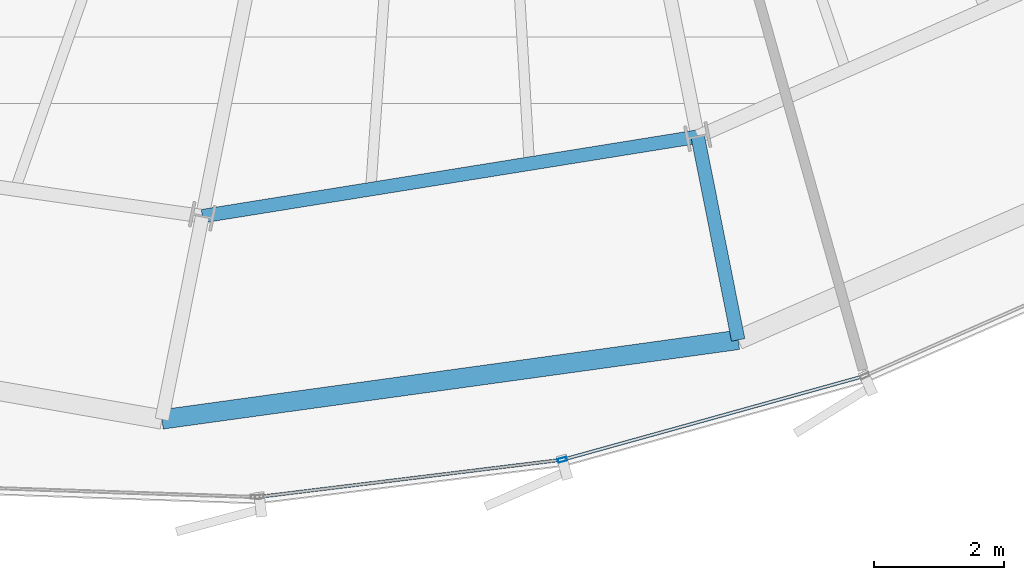
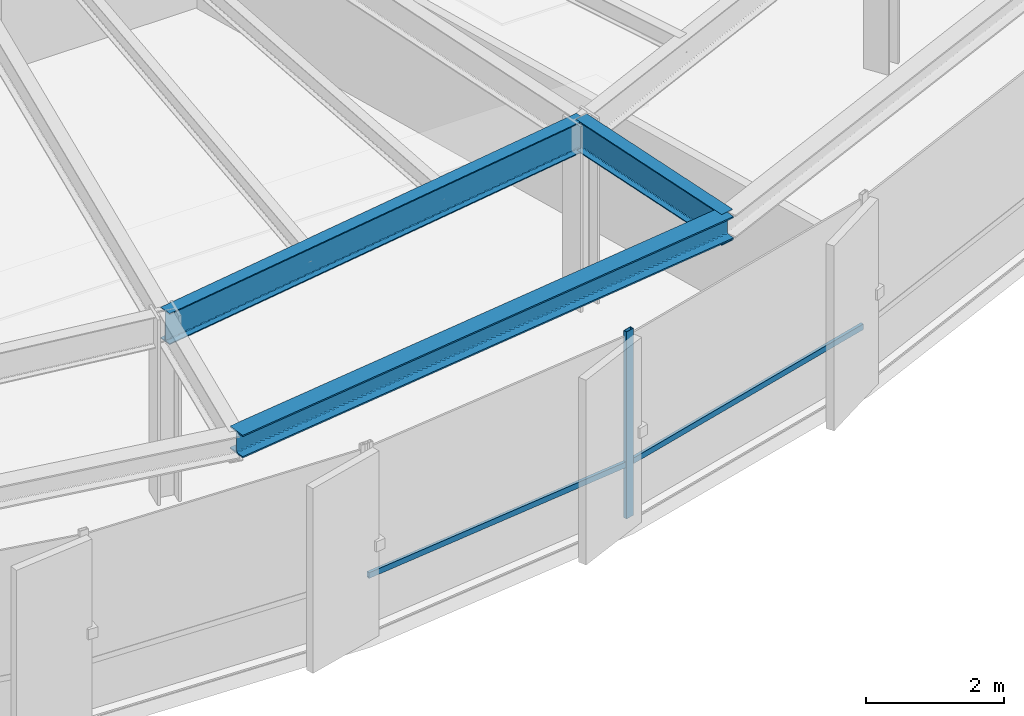
# One storey, part 6 of 35: 3 beams, 3 members, 1 element without a shape of its own.
"""IFC4 building model written with IfcOpenShell, lengths in metres."""

from ifc_helpers import new_model, si_unit, direction, frame, origin, origin_2d, place, context, subcontext, project, spatial, hollow_rectangle, i_section, extrude, source, transform, mapped, material, layer, layer_set, material_profile, profile_set, type_object, element, aggregate, save


model = new_model("IFC4")

# Units and contexts
model_context = context("Model", 3, precision=1e-05, world=origin(), true_north=direction((0.0, 1.0)))
body_context = subcontext(model_context, "Body", "Model", "MODEL_VIEW")
ifc_project = project(units=[si_unit("LENGTHUNIT", "METRE"), si_unit("AREAUNIT", "SQUARE_METRE"), si_unit("VOLUMEUNIT", "CUBIC_METRE"), si_unit("PLANEANGLEUNIT", "RADIAN"), si_unit("MASSUNIT", "GRAM", prefix="KILO"), si_unit("THERMODYNAMICTEMPERATUREUNIT", "KELVIN")], contexts=[model_context])

# Site, building, storey
site_placement = place(None, origin())
site = spatial("IfcSite", under=ifc_project, at=site_placement, CompositionType="ELEMENT")
building_placement = place(site_placement, origin())
building = spatial("IfcBuilding", under=site, at=building_placement, Name="Kethvar Cultural Tower", CompositionType="ELEMENT")
storey_placement = place(building_placement, frame((0.0, 0.0, 146.550048828125)))
storey = spatial("IfcBuildingStorey", under=building, at=storey_placement, Name="L37", CompositionType="ELEMENT", Elevation=146.550048828125)

# Beams
ifc_material_1 = material(Name="Steel S355J2", Category="steel")
ifc_material_profile_1 = material_profile(ifc_material_1, i_section(OverallWidth=0.2099609375, OverallDepth=0.550048828125, WebThickness=0.010986328125, FlangeThickness=0.01708984375, FilletRadius=0.02392578125, at=origin_2d()), Name="Steel S355J2 — IPE550")
ifc_profile_set_1 = profile_set([ifc_material_profile_1], Name="Steel S355J2 — IPE550")
beam_type_1 = type_object("IfcBeamType", Name="BM-IPE550", PredefinedType="BEAM", material=ifc_profile_set_1)
shared_shape_1 = source(origin(), body_context, "Body", "SweptSolid", [
    extrude(i_section(OverallWidth=0.2099609375, OverallDepth=0.550048828125, WebThickness=0.010986328125, FlangeThickness=0.01708984375, FilletRadius=0.02392578125, at=origin_2d()), origin(), (0.0, 0.0, 1.0), 3.2001953125),
])
beam_1_placement = place(storey_placement, frame((50.50341796875, 9.182373046875, 3.02294921875), z_axis=(0.195074368086, -0.980788453702, 0.0), x_axis=(0.980788453702, 0.195074368086, 0.0)))
element("IfcBeam", 1, at=beam_1_placement, inside=storey, type_object=beam_type_1, Name="L37 Perimeter Cantilever Beam RC-13", PredefinedType="BEAM", context=body_context, shape_type="MappedRepresentation", body=[
    mapped(shared_shape_1, transform((0.0, 0.0, 0.0), scale=1.0)),
])
shared_shape_2 = source(origin(), body_context, "Body", "SweptSolid", [
    extrude(i_section(OverallWidth=0.2099609375, OverallDepth=0.550048828125, WebThickness=0.010986328125, FlangeThickness=0.01708984375, FilletRadius=0.02392578125, at=origin_2d()), origin(), (0.0, 0.0, 1.0), 7.749267578125),
])
beam_2_placement = place(storey_placement, frame((42.852294921875, 7.95361328125, 3.02294921875), z_axis=(0.987348257569, 0.158566762831, 0.0), x_axis=(-0.158566762831, 0.987348257569, 0.0)))
element("IfcBeam", 2, at=beam_2_placement, inside=storey, type_object=beam_type_1, Name="L37 Column Ring Tie Beam CR-12", PredefinedType="BEAM", context=body_context, shape_type="MappedRepresentation", body=[
    mapped(shared_shape_2, transform((0.0, 0.0, 0.0), scale=1.0)),
])
ifc_material_profile_2 = material_profile(ifc_material_1, i_section(OverallWidth=0.300048828125, OverallDepth=0.39990234375, WebThickness=0.013427734375, FlangeThickness=0.02392578125, FilletRadius=0.027099609375, at=origin_2d()), Name="Steel S355J2 — HEB400")
ifc_profile_set_2 = profile_set([ifc_material_profile_2], Name="Steel S355J2 — HEB400")
beam_type_2 = type_object("IfcBeamType", Name="BM-SP400", PredefinedType="SPANDREL", material=ifc_profile_set_2)
shared_shape_3 = source(origin(), body_context, "Body", "SweptSolid", [
    extrude(i_section(OverallWidth=0.300048828125, OverallDepth=0.39990234375, WebThickness=0.013427734375, FlangeThickness=0.02392578125, FilletRadius=0.027099609375, at=origin_2d()), origin(), (0.0, 0.0, 1.0), 8.984130859375),
])
beam_3_placement = place(storey_placement, frame((42.22802734375, 4.81494140625, 3.097900390625), z_axis=(0.990602728928, 0.136770733127, 0.0), x_axis=(-0.136770733127, 0.990602728928, 0.0)))
element("IfcBeam", 3, at=beam_3_placement, inside=storey, type_object=beam_type_2, Name="L37 Perimeter Spandrel Beam SP-12", PredefinedType="SPANDREL", context=body_context, shape_type="MappedRepresentation", body=[
    mapped(shared_shape_3, transform((0.0, 0.0, 0.0), scale=1.0)),
])

# Curtain wall, members
ifc_material_2 = material(Name="Aluminium 6063-T6", Category="aluminium")
ifc_layer = layer(ifc_material_2, 0.179931640625, Name="Aluminium 6063-T6", Category="aluminium")
ifc_layer_set = layer_set([ifc_layer], Name="Aluminium 6063-T6 (180 mm)")
curtain_wall_type = type_object("IfcCurtainWallType", Name="CW-SYS-04-Z34", PredefinedType="NOTDEFINED", material=ifc_layer_set)
curtain_wall_placement = place(storey_placement, origin())
curtain_wall = element("IfcCurtainWall", 4, at=curtain_wall_placement, inside=storey, type_object=curtain_wall_type, Name="L37 Curtain Wall Run 05", PredefinedType="NOTDEFINED")
ifc_material_profile_3 = material_profile(ifc_material_2, hollow_rectangle(XDim=0.06005859375, YDim=0.139892578125, WallThickness=0.0048828125, at=origin_2d()), Name="Aluminium 6063-T6 — RHS140x60x5")
ifc_profile_set_3 = profile_set([ifc_material_profile_3], Name="Aluminium 6063-T6 — RHS140x60x5")
member_type_1 = type_object("IfcMemberType", Name="CW-SYS-04-Z34-MUL", PredefinedType="MULLION", material=ifc_profile_set_3)
shared_shape_4 = source(origin(), body_context, "Body", "SweptSolid", [
    extrude(hollow_rectangle(XDim=0.06005859375, YDim=0.139892578125, WallThickness=0.0048828125, at=origin_2d()), origin(), (0.0, 0.0, 1.0), 3.300048828125),
])
member_1_placement = place(storey_placement, frame((48.412109375, 4.19140625, 0.0), z_axis=(0.0, 0.0, 1.0), x_axis=(-0.267423374918, 0.963579129365, 0.0)))
member_1 = element("IfcMember", 5, at=member_1_placement, type_object=member_type_1, Name="CW-L37-R05 Mullion 2", PredefinedType="MULLION", context=body_context, shape_type="MappedRepresentation", body=[
    mapped(shared_shape_4, transform((0.0, 0.0, 0.0), scale=1.0)),
])
ifc_material_profile_4 = material_profile(ifc_material_2, hollow_rectangle(XDim=0.050048828125, YDim=0.10009765625, WallThickness=0.00390625, at=origin_2d()), Name="Aluminium 6063-T6 — RHS100x50x4")
ifc_profile_set_4 = profile_set([ifc_material_profile_4], Name="Aluminium 6063-T6 — RHS100x50x4")
member_type_2 = type_object("IfcMemberType", Name="CW-SYS-04-Z34-TRN", PredefinedType="USERDEFINED", material=ifc_profile_set_4)
shared_shape_5 = source(origin(), body_context, "Body", "SweptSolid", [
    extrude(hollow_rectangle(XDim=0.050048828125, YDim=0.10009765625, WallThickness=0.00390625, at=origin_2d()), origin(), (0.0, 0.0, 1.0), 4.775390625),
])
member_2_placement = place(storey_placement, frame((48.45361328125, 4.202880859375, 0.949951171875), z_axis=(0.963577944635, 0.267427643696, 0.0), x_axis=(-0.267427643696, 0.963577944635, 0.0)))
member_2 = element("IfcMember", 6, at=member_2_placement, type_object=member_type_2, Name="CW-L37-R05 Transom 2", ObjectType="TRANSOM", PredefinedType="USERDEFINED", context=body_context, shape_type="MappedRepresentation", body=[
    mapped(shared_shape_5, transform((0.0, 0.0, 0.0), scale=1.0)),
])
shared_shape_6 = source(origin(), body_context, "Body", "SweptSolid", [
    extrude(hollow_rectangle(XDim=0.050048828125, YDim=0.10009765625, WallThickness=0.00390625, at=origin_2d()), origin(), (0.0, 0.0, 1.0), 4.683837890625),
])
member_3_placement = place(storey_placement, frame((43.736083984375, 3.620361328125, 0.949951171875), z_axis=(0.992591392755, 0.121500316994, 0.0), x_axis=(-0.121500316994, 0.992591392755, 0.0)))
member_3 = element("IfcMember", 7, at=member_3_placement, type_object=member_type_2, Name="CW-L37-R05 Transom 1", ObjectType="TRANSOM", PredefinedType="USERDEFINED", context=body_context, shape_type="MappedRepresentation", body=[
    mapped(shared_shape_6, transform((0.0, 0.0, 0.0), scale=1.0)),
])
aggregate(curtain_wall, [member_1, member_3, member_2])

save(model, "model.ifc")
